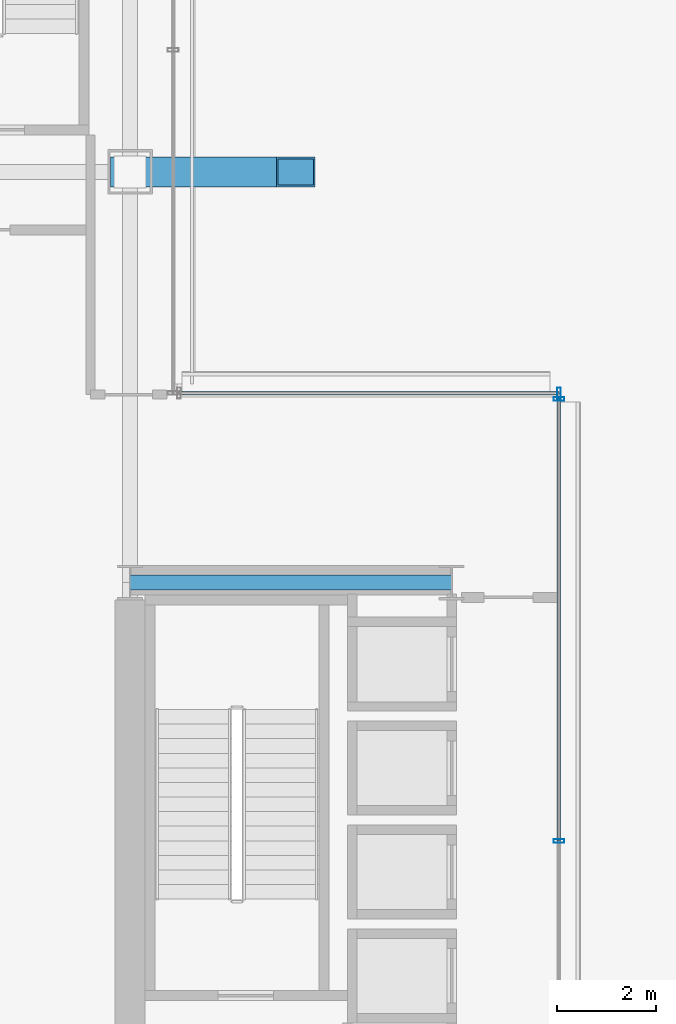
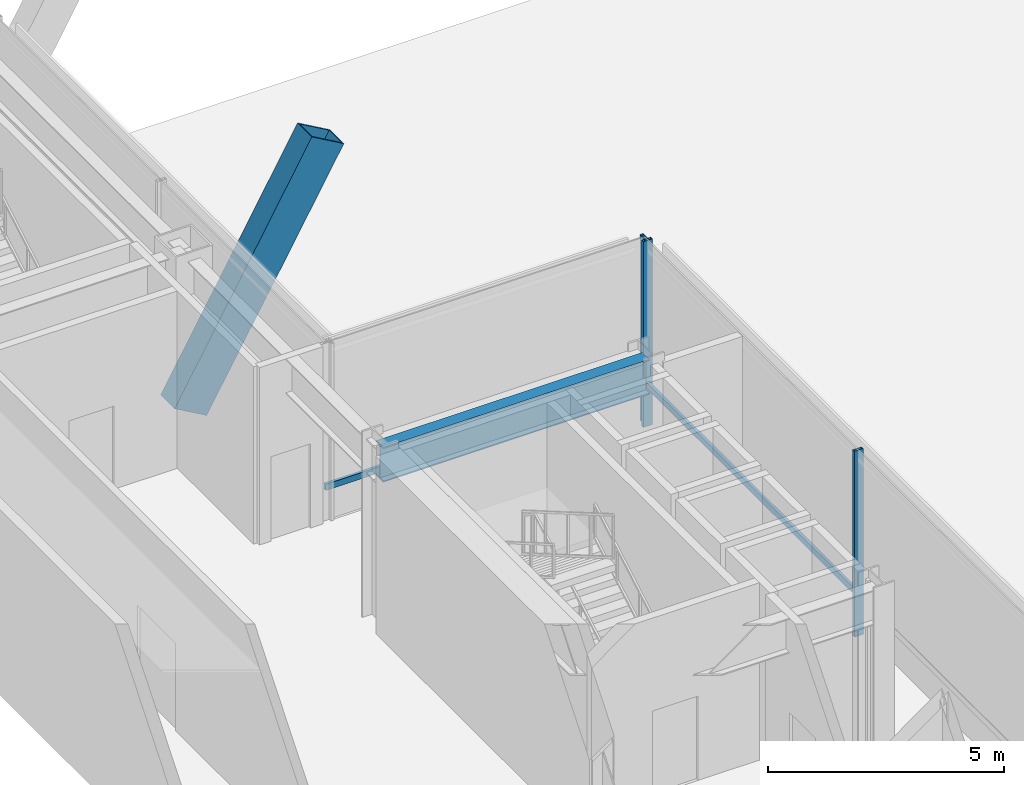
# One storey, part 14 of 37: 6 members, 1 beam, 2 elements without a shape of their own.
"""IFC4 building model written with IfcOpenShell, lengths in metres."""

from ifc_helpers import new_model, si_unit, direction, frame, origin, origin_2d, place, context, subcontext, project, spatial, hollow_rectangle, i_section, extrude, material, layer, layer_set, material_profile, profile_set, type_object, element, aggregate, save


model = new_model("IFC4")

# Units and contexts
model_context = context("Model", 3, precision=1e-05, world=origin(), true_north=direction((0.0, 1.0)))
body_context = subcontext(model_context, "Body", "Model", "MODEL_VIEW")
ifc_project = project(units=[si_unit("LENGTHUNIT", "METRE"), si_unit("AREAUNIT", "SQUARE_METRE"), si_unit("VOLUMEUNIT", "CUBIC_METRE"), si_unit("PLANEANGLEUNIT", "RADIAN"), si_unit("MASSUNIT", "GRAM", prefix="KILO")], contexts=[model_context])

# Site, building, storey
site_placement = place(None, origin())
site = spatial("IfcSite", under=ifc_project, at=site_placement, CompositionType="ELEMENT")
building_placement = place(site_placement, origin())
building = spatial("IfcBuilding", under=site, at=building_placement, Name="Brelmoor Portico Tower", CompositionType="ELEMENT")
storey_placement = place(building_placement, origin())
storey = spatial("IfcBuildingStorey", under=building, at=storey_placement, Name="L00", CompositionType="ELEMENT", Elevation=0.0)

# Beam
ifc_material_1 = material(Name="Steel Q355B", Category="steel")
ifc_material_profile_1 = material_profile(ifc_material_1, i_section(OverallWidth=0.300048828125, OverallDepth=0.89990234375, WebThickness=0.01611328125, FlangeThickness=0.028076171875, at=origin_2d()), Name="HN 900x300x16x28")
ifc_profile_set_1 = profile_set([ifc_material_profile_1], Name="Steel Q355B")
beam_type = type_object("IfcBeamType", Name="BM-PG-900", PredefinedType="BEAM", material=ifc_profile_set_1)
beam_placement = place(storey_placement, frame((-14.550048828125, 9.75, 4.1298828125), z_axis=(1.0, 0.0, 0.0), x_axis=(0.0, 1.0, 0.0)))
element("IfcBeam", 1, at=beam_placement, inside=storey, type_object=beam_type, Name="L00 Primary Floor Girder PG-32", PredefinedType="BEAM", context=body_context, shape_type="SweptSolid", body=[
    extrude(i_section(OverallWidth=0.300048828125, OverallDepth=0.89990234375, WebThickness=0.01611328125, FlangeThickness=0.028076171875, at=origin_2d()), origin(), (0.0, 0.0, 1.0), 6.5),
])

# Member
ifc_material_2 = material(Name="Steel Q420B", Category="steel")
ifc_material_profile_2 = material_profile(ifc_material_2, hollow_rectangle(XDim=0.60009765625, YDim=0.89990234375, WallThickness=0.035888671875, at=origin_2d()), Name="RHS 600x900x36")
ifc_profile_set_2 = profile_set([ifc_material_profile_2], Name="Steel Q420B")
member_type_1 = type_object("IfcMemberType", Name="MB-ARCH-RIB", PredefinedType="CHORD", material=ifc_profile_set_2)
member_1_placement = place(storey_placement, frame((-14.550048828125, 18.050048828125, 0.550048828125), z_axis=(0.496957759354, 0.0, 0.867774731954), x_axis=(0.0, 1.0, 0.0)))
element("IfcMember", 2, at=member_1_placement, inside=storey, type_object=member_type_1, Name="Giant Portico Arch Rib N2-1", PredefinedType="CHORD", context=body_context, shape_type="SweptSolid", body=[
    extrude(hollow_rectangle(XDim=0.60009765625, YDim=0.89990234375, WallThickness=0.035888671875, at=origin_2d()), origin(), (0.0, 0.0, 1.0), 6.7412109375),
])

# Curtain wall, member
ifc_material_3 = material(Name="Anodised Aluminium Alloy 6063-T6", Category="aluminium")
ifc_layer = layer(ifc_material_3, 0.179931640625)
ifc_layer_set = layer_set([ifc_layer], Name="Anodised Aluminium Alloy 6063-T6")
curtain_wall_type = type_object("IfcCurtainWallType", Name="CW-PODIUM-ARCH", PredefinedType="NOTDEFINED", material=ifc_layer_set)
curtain_wall_1_placement = place(storey_placement, origin())
curtain_wall_1 = element("IfcCurtainWall", 3, at=curtain_wall_1_placement, inside=storey, type_object=curtain_wall_type, Name="L00 Curtain Wall CW-L00-13", PredefinedType="NOTDEFINED")
ifc_material_profile_3 = material_profile(ifc_material_3, hollow_rectangle(XDim=0.074951171875, YDim=0.219970703125, WallThickness=0.0048828125, at=origin_2d()), Name="ALU MULLION 75x220")
ifc_profile_set_3 = profile_set([ifc_material_profile_3], Name="Anodised Aluminium Alloy 6063-T6")
member_type_2 = type_object("IfcMemberType", Name="MB-CW-MULL-220", PredefinedType="MULLION", material=ifc_profile_set_3)
member_2_placement = place(storey_placement, frame((-5.8798828125, 13.580078125, -0.219970703125), z_axis=(0.0, 0.0, 1.0), x_axis=(1.0, 0.0, 0.0)))
member_2 = element("IfcMember", 4, at=member_2_placement, type_object=member_type_2, Name="CW-L00-13 Mullion 01", PredefinedType="MULLION", context=body_context, shape_type="SweptSolid", body=[
    extrude(hollow_rectangle(XDim=0.074951171875, YDim=0.219970703125, WallThickness=0.0048828125, at=origin_2d()), origin(), (0.0, 0.0, 1.0), 4.800048828125),
])

# Curtain wall, members
curtain_wall_2_placement = place(storey_placement, origin())
curtain_wall_2 = element("IfcCurtainWall", 5, at=curtain_wall_2_placement, inside=storey, type_object=curtain_wall_type, Name="L00 Curtain Wall CW-L00-15", PredefinedType="NOTDEFINED")
member_3_placement = place(storey_placement, frame((-5.8798828125, 4.526611328125, -0.219970703125), z_axis=(0.0, 0.0, 1.0), x_axis=(0.0, 1.0, 0.0)))
member_3 = element("IfcMember", 6, at=member_3_placement, type_object=member_type_2, Name="CW-L00-15 Mullion 02", PredefinedType="MULLION", context=body_context, shape_type="SweptSolid", body=[
    extrude(hollow_rectangle(XDim=0.074951171875, YDim=0.219970703125, WallThickness=0.0048828125, at=origin_2d()), origin(), (0.0, 0.0, 1.0), 4.800048828125),
])
member_4_placement = place(storey_placement, frame((-5.8798828125, 13.4599609375, -0.219970703125), z_axis=(0.0, 0.0, 1.0), x_axis=(0.0, 1.0, 0.0)))
member_4 = element("IfcMember", 7, at=member_4_placement, type_object=member_type_2, Name="CW-L00-15 Mullion 03", PredefinedType="MULLION", context=body_context, shape_type="SweptSolid", body=[
    extrude(hollow_rectangle(XDim=0.074951171875, YDim=0.219970703125, WallThickness=0.0048828125, at=origin_2d()), origin(), (0.0, 0.0, 1.0), 4.800048828125),
])

# Member
ifc_material_profile_4 = material_profile(ifc_material_3, hollow_rectangle(XDim=0.070068359375, YDim=0.159912109375, WallThickness=0.00390625, at=origin_2d()), Name="ALU TRANSOM 70x160")
ifc_profile_set_4 = profile_set([ifc_material_profile_4], Name="Anodised Aluminium Alloy 6063-T6")
member_type_3 = type_object("IfcMemberType", Name="MB-CW-TRAN-160", PredefinedType="USERDEFINED", material=ifc_profile_set_4)
member_5_placement = place(storey_placement, frame((-13.679931640625, 13.580078125, 0.85009765625), z_axis=(1.0, 0.0, 0.0), x_axis=(0.0, 1.0, 0.0)))
member_5 = element("IfcMember", 8, at=member_5_placement, type_object=member_type_3, Name="CW-L00-13 Transom 1-00", ObjectType="TRANSOM", PredefinedType="USERDEFINED", context=body_context, shape_type="SweptSolid", body=[
    extrude(hollow_rectangle(XDim=0.070068359375, YDim=0.159912109375, WallThickness=0.00390625, at=origin_2d()), origin(), (0.0, 0.0, 1.0), 7.800048828125),
])

aggregate(curtain_wall_1, [member_2, member_5])

member_6_placement = place(storey_placement, frame((-5.8798828125, 4.526611328125, 0.85009765625), z_axis=(0.0, 1.0, 0.0), x_axis=(-1.0, 0.0, 0.0)))
member_6 = element("IfcMember", 9, at=member_6_placement, type_object=member_type_3, Name="CW-L00-15 Transom 1-02", ObjectType="TRANSOM", PredefinedType="USERDEFINED", context=body_context, shape_type="SweptSolid", body=[
    extrude(hollow_rectangle(XDim=0.070068359375, YDim=0.159912109375, WallThickness=0.00390625, at=origin_2d()), origin(), (0.0, 0.0, 1.0), 9.053466796875),
])

aggregate(curtain_wall_2, [member_3, member_4, member_6])

save(model, "model.ifc")
